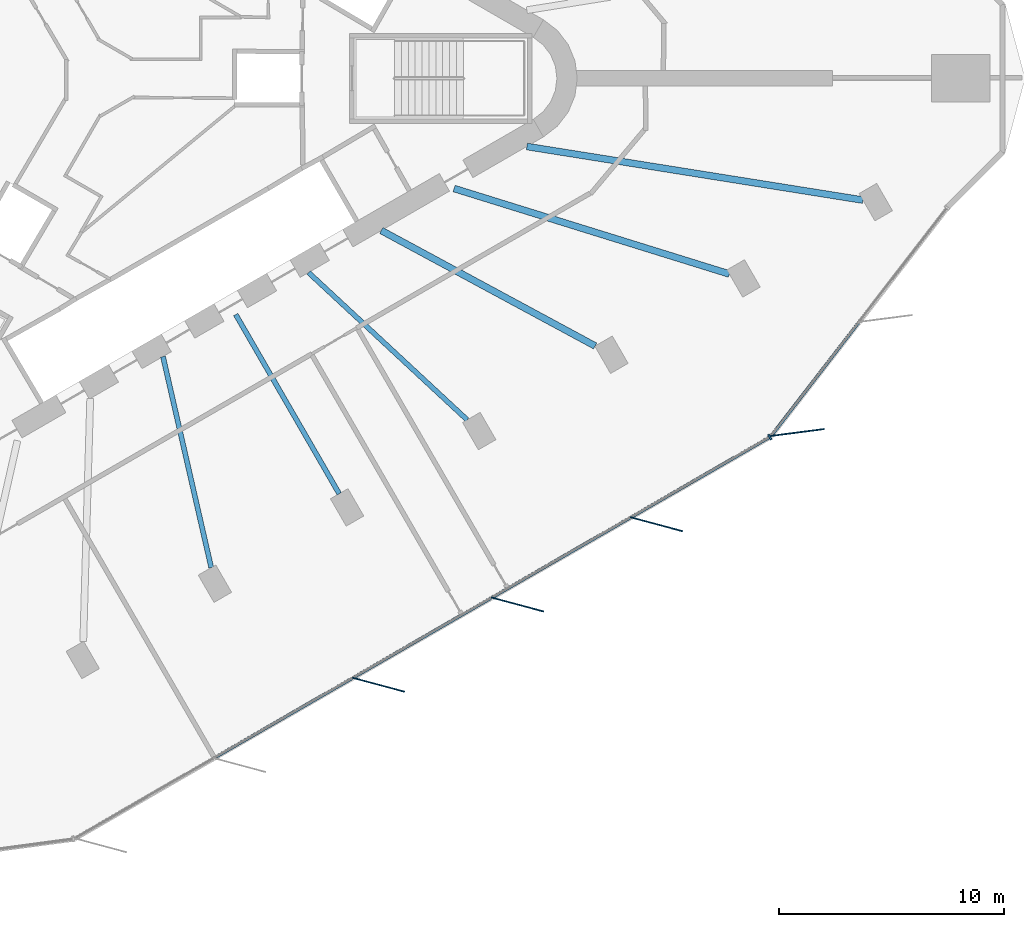
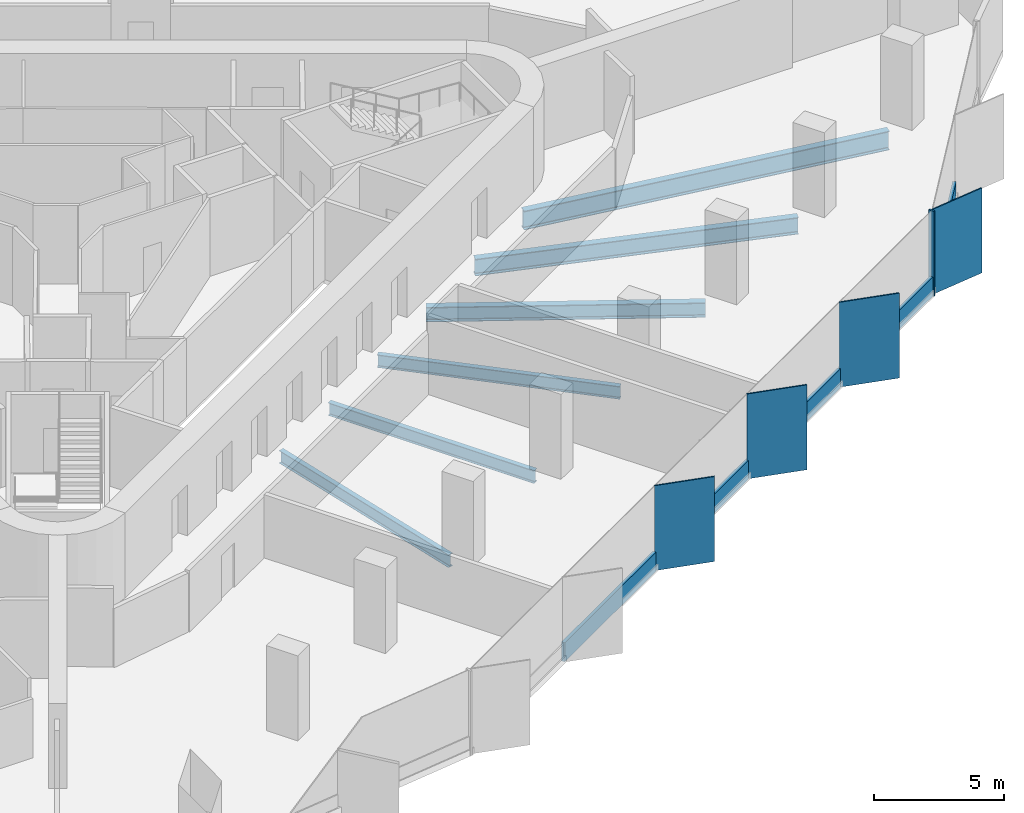
# One storey, part 3 of 14: 10 members, 6 beams, 2 elements without a shape of their own.
"""IFC4 building model written with IfcOpenShell, lengths in metres."""

import ifcopenshell
import ifcopenshell.guid

model = None  # the IFC model being written
_history = None  # IfcOwnerHistory: only IFC2X3 demands one
_inside = {}  # id of a spatial element -> (the spatial element, [elements in it])
_under = {}  # id of a project, library or spatial element -> (it, [spatial elements below it])
_declared = {}  # id of a project -> (the project, [libraries it declares])
_typed = {}  # id of a type object -> (the type object, [elements of that type])
_made_of = {}  # id of a material, layer set ... -> (it, [elements and type objects made of it])


def new_model(schema):
    """Start an empty IFC model of exactly this schema.

    Asked for "IFC4X3", IfcOpenShell would pick the latest addendum, in which some entities
    have other attributes; the version numbers below select the first issue.
    IFC2X3 requires an IfcOwnerHistory on every rooted entity: one is made here for all.
    """
    global model, _history
    if schema == "IFC4X3":
        model = ifcopenshell.file(schema_version=(4, 3, 0, 0))
    else:
        model = ifcopenshell.file(schema=schema)
    _inside.clear()
    _under.clear()
    _declared.clear()
    _typed.clear()
    _made_of.clear()
    _history = None
    if model.schema == "IFC2X3":
        org = make("IfcOrganization", Name="unknown")
        user = make(
            "IfcPersonAndOrganization",
            ThePerson=make("IfcPerson", FamilyName="unknown"),
            TheOrganization=org,
        )
        app = make(
            "IfcApplication",
            ApplicationDeveloper=org,
            Version="unknown",
            ApplicationFullName="unknown",
            ApplicationIdentifier="unknown",
        )
        _history = make(
            "IfcOwnerHistory",
            OwningUser=user,
            OwningApplication=app,
            ChangeAction="ADDED",
            CreationDate=0,
        )
    return model


def make(cls, **values):
    """One entity of the class cls with the attributes given. An attribute that is None is left unset."""
    return model.create_entity(
        cls, **{name: value for name, value in values.items() if value is not None}
    )


def rooted(cls, **values):
    """An entity with a GlobalId (a new one), such as an element, a storey or a relation."""
    return make(cls, GlobalId=ifcopenshell.guid.new(), OwnerHistory=_history, **values)


def si_unit(unit_type, name, prefix=None):
    """IfcSIUnit, for example si_unit("LENGTHUNIT", "METRE", prefix="MILLI")."""
    return make("IfcSIUnit", UnitType=unit_type, Prefix=prefix, Name=name)


def assignment(units):
    """IfcUnitAssignment: the units of a project."""
    return None if units is None else make("IfcUnitAssignment", Units=units)


def point(xyz):
    """IfcCartesianPoint."""
    return None if xyz is None else make("IfcCartesianPoint", Coordinates=xyz)


def direction(xyz):
    """IfcDirection."""
    return None if xyz is None else make("IfcDirection", DirectionRatios=xyz)


def frame(location, z_axis=None, x_axis=None):
    """IfcAxis2Placement3D, a coordinate frame: its origin and axes. An axis left out is left unset."""
    return make(
        "IfcAxis2Placement3D",
        Location=point(location),
        Axis=direction(z_axis),
        RefDirection=direction(x_axis),
    )


def frame_2d(location, x_axis=None):
    """IfcAxis2Placement2D, a coordinate frame in the plane: its origin and x axis."""
    return make(
        "IfcAxis2Placement2D", Location=point(location), RefDirection=direction(x_axis)
    )


def origin():
    """The frame at (0, 0, 0) with its axes left unset."""
    return frame((0.0, 0.0, 0.0))


def origin_2d():
    """The frame at (0, 0) in the plane with its x axis left unset."""
    return frame_2d((0.0, 0.0))


def place(relative_to, where):
    """IfcLocalPlacement: puts the frame where relative to a parent placement (None: the world)."""
    return make(
        "IfcLocalPlacement", PlacementRelTo=relative_to, RelativePlacement=where
    )


def context(
    kind, dimensions, precision=None, world=None, true_north=None, identifier=None
):
    """IfcGeometricRepresentationContext, for example the 3D "Model" context."""
    return make(
        "IfcGeometricRepresentationContext",
        ContextIdentifier=identifier,
        ContextType=kind,
        CoordinateSpaceDimension=dimensions,
        Precision=precision,
        WorldCoordinateSystem=world,
        TrueNorth=true_north,
    )


def subcontext(parent, identifier, kind, view, scale=None):
    """IfcGeometricRepresentationSubContext, for example "Body" below "Model"."""
    return make(
        "IfcGeometricRepresentationSubContext",
        ContextIdentifier=identifier,
        ContextType=kind,
        ParentContext=parent,
        TargetScale=scale,
        TargetView=view,
    )


def project(units=None, contexts=None):
    """IfcProject with its units and contexts."""
    return rooted(
        "IfcProject",
        Name="project",
        RepresentationContexts=contexts,
        UnitsInContext=assignment(units),
    )


def spatial(cls, under=None, at=None, **own):
    """A site, building, storey or space (cls), placed at a placement, below another one or the project."""
    s = rooted(cls, ObjectPlacement=at, **own)
    if under is not None:
        _under.setdefault(under.id(), (under, []))[1].append(s)
    return s


def profile(cls, at=None, kind="AREA", **sizes):
    """A parametric profile (cls). Its sizes go by their IFC names, for example OverallWidth=200.0."""
    return make(cls, ProfileType=kind, Position=at, **sizes)


def rectangle(**sizes):
    """IfcRectangleProfileDef."""
    return profile("IfcRectangleProfileDef", **sizes)


def i_section(**sizes):
    """IfcIShapeProfileDef."""
    return profile("IfcIShapeProfileDef", **sizes)


def extrude(swept, where, along, depth):
    """IfcExtrudedAreaSolid: the profile swept, set in the frame where, extruded along a direction by depth."""
    return make(
        "IfcExtrudedAreaSolid",
        SweptArea=swept,
        Position=where,
        ExtrudedDirection=direction(along),
        Depth=depth,
    )


def shape(context_of_items, identifier, shape_type, items):
    """IfcShapeRepresentation: the items that make up one representation, for example the "Body"."""
    return make(
        "IfcShapeRepresentation",
        ContextOfItems=context_of_items,
        RepresentationIdentifier=identifier,
        RepresentationType=shape_type,
        Items=items,
    )


def material(Name=None, Category=None):
    """IfcMaterial."""
    return make("IfcMaterial", Name=Name, Category=Category)


def material_profile(
    of_material, cross_section, Name=None, Category=None, Priority=None
):
    """IfcMaterialProfile: a cross section and its material."""
    return make(
        "IfcMaterialProfile",
        Name=Name,
        Material=of_material,
        Profile=cross_section,
        Priority=Priority,
        Category=Category,
    )


def profile_set(profiles, Name=None, composite=None):
    """IfcMaterialProfileSet."""
    return make(
        "IfcMaterialProfileSet",
        Name=Name,
        MaterialProfiles=profiles,
        CompositeProfile=composite,
    )


def made_of(thing, what):
    """Note that an element or type object is made of a material, layer set ...; save() writes the relation."""
    if what is not None:
        _made_of.setdefault(what.id(), (what, []))[1].append(thing)
    return thing


def type_object(cls, material=None, **own):
    """A type object (cls), such as IfcWallType, which elements share."""
    return made_of(rooted(cls, **own), material)


def element(
    cls,
    number,
    at=None,
    inside=None,
    cuts=None,
    type_object=None,
    material=None,
    context=None,
    identifier="Body",
    shape_type=None,
    held_by="IfcProductDefinitionShape",
    body=None,
    shapes=None,
    **own,
):
    """One element of the class cls, such as IfcWall. Its Tag is "e" and its number.

    at: its placement. inside: the storey or other place that contains it. cuts: it is an
    opening in that element (IfcRelVoidsElement). A single representation is given by context,
    identifier, shape_type and body (its items); several are given by shapes. held_by: the class
    of the entity that holds the representations. save() writes the other relations.
    """
    e = rooted(cls, Tag="e%d" % number, ObjectPlacement=at, **own)
    if body is not None:
        shapes = [shape(context, identifier, shape_type, body)]
    if shapes is not None:
        e.Representation = make(held_by, Representations=shapes)
    if inside is not None:
        _inside.setdefault(inside.id(), (inside, []))[1].append(e)
    if cuts is not None:
        rooted(
            "IfcRelVoidsElement", RelatingBuildingElement=cuts, RelatedOpeningElement=e
        )
    if type_object is not None:
        _typed.setdefault(type_object.id(), (type_object, []))[1].append(e)
    return made_of(e, material)


def aggregate(whole, parts):
    """IfcRelAggregates: a whole, such as a stair, and the parts it consists of."""
    return rooted("IfcRelAggregates", RelatingObject=whole, RelatedObjects=parts)


def save(model, path):
    """Write the relations noted so far, then the file.

    IfcRelAggregates (storeys below a building ...), IfcRelContainedInSpatialStructure (elements
    in a storey), IfcRelDefinesByType, IfcRelAssociatesMaterial and IfcRelDeclares: one each for
    every whole, place, type object, material and project.
    """
    for whole, parts in _under.values():
        aggregate(whole, parts)
    for where, things in _inside.values():
        rooted(
            "IfcRelContainedInSpatialStructure",
            RelatedElements=things,
            RelatingStructure=where,
        )
    for kind, things in _typed.values():
        rooted("IfcRelDefinesByType", RelatedObjects=things, RelatingType=kind)
    for what, things in _made_of.values():
        rooted("IfcRelAssociatesMaterial", RelatedObjects=things, RelatingMaterial=what)
    for by, libraries in _declared.values():
        rooted("IfcRelDeclares", RelatingContext=by, RelatedDefinitions=libraries)
    model.write(path)


model = new_model("IFC4")

# Units and contexts
model_context = context("Model", 3, precision=1e-05, world=origin(), true_north=direction((0.0, 1.0)))
body_context = subcontext(model_context, "Body", "Model", "MODEL_VIEW")
ifc_project = project(units=[si_unit("LENGTHUNIT", "METRE"), si_unit("AREAUNIT", "SQUARE_METRE"), si_unit("VOLUMEUNIT", "CUBIC_METRE"), si_unit("PLANEANGLEUNIT", "RADIAN"), si_unit("MASSUNIT", "GRAM", prefix="KILO")], contexts=[model_context])

# Site, building, storey
site_placement = place(None, origin())
site = spatial("IfcSite", under=ifc_project, at=site_placement, CompositionType="ELEMENT")
building_placement = place(site_placement, origin())
building = spatial("IfcBuilding", under=site, at=building_placement, Name="Tanit Gate Tower", CompositionType="ELEMENT")
storey_placement = place(building_placement, frame((0.0, 0.0, 233.199951171875)))
storey = spatial("IfcBuildingStorey", under=building, at=storey_placement, Name="L52", CompositionType="ELEMENT", Elevation=233.199951171875)

# Curtain wall, members
ifc_material_1 = material(Name="Aluminium bronze anodised and glass", Category="aluminium")
curtain_wall_type = type_object("IfcCurtainWallType", Name="Curtain wall typical mid", PredefinedType="NOTDEFINED", material=ifc_material_1)
curtain_wall_1_placement = place(storey_placement, origin())
curtain_wall_1 = element("IfcCurtainWall", 1, at=curtain_wall_1_placement, inside=storey, type_object=curtain_wall_type, Name="Curtain wall L52 SE2", PredefinedType="NOTDEFINED")
ifc_material_2 = material(Name="Aluminium bronze anodised", Category="aluminium")
ifc_material_profile_1 = material_profile(ifc_material_2, rectangle(XDim=2.39990234375, YDim=0.055908203125, at=origin_2d()), Name="56x2400 bronze fin mullion")
ifc_profile_set_1 = profile_set([ifc_material_profile_1], Name="Aluminium bronze anodised")
member_type_1 = type_object("IfcMemberType", Name="FIN MULLION 56x2400 bronze", PredefinedType="MULLION", material=ifc_profile_set_1)
member_1_placement = place(storey_placement, frame((12.383056640625, -26.9013671875, -0.300048828125), z_axis=(0.0, 0.0, 1.0), x_axis=(-0.965943770162, 0.25875206837, 0.0)))
member_1 = element("IfcMember", 2, at=member_1_placement, type_object=member_type_1, Name="Fin mullion L52 SE2.3", PredefinedType="MULLION", context=body_context, shape_type="SweptSolid", body=[
    extrude(rectangle(XDim=2.39990234375, YDim=0.055908203125, at=origin_2d()), origin(), (0.0, 0.0, 1.0), 4.0),
])
member_2_placement = place(storey_placement, frame((18.54931640625, -23.3408203125, -0.300048828125), z_axis=(0.0, 0.0, 1.0), x_axis=(-0.965943770162, 0.25875206837, 0.0)))
member_2 = element("IfcMember", 3, at=member_2_placement, type_object=member_type_1, Name="Fin mullion L52 SE2.4", PredefinedType="MULLION", context=body_context, shape_type="SweptSolid", body=[
    extrude(rectangle(XDim=2.39990234375, YDim=0.055908203125, at=origin_2d()), origin(), (0.0, 0.0, 1.0), 4.0),
])
member_3_placement = place(storey_placement, frame((24.715576171875, -19.780029296875, -0.300048828125), z_axis=(0.0, 0.0, 1.0), x_axis=(-0.965943770162, 0.25875206837, 0.0)))
member_3 = element("IfcMember", 4, at=member_3_placement, type_object=member_type_1, Name="Fin mullion L52 SE2.5", PredefinedType="MULLION", context=body_context, shape_type="SweptSolid", body=[
    extrude(rectangle(XDim=2.39990234375, YDim=0.055908203125, at=origin_2d()), origin(), (0.0, 0.0, 1.0), 4.0),
])

# Curtain wall, member
curtain_wall_2_placement = place(storey_placement, origin())
curtain_wall_2 = element("IfcCurtainWall", 5, at=curtain_wall_2_placement, inside=storey, type_object=curtain_wall_type, Name="Curtain wall L52 SE3", PredefinedType="NOTDEFINED")
member_4_placement = place(storey_placement, frame((30.971435546875, -15.712158203125, -0.300048828125), z_axis=(0.0, 0.0, 1.0), x_axis=(-0.991802209768, -0.127782536751, 0.0)))
member_4 = element("IfcMember", 6, at=member_4_placement, type_object=member_type_1, Name="Fin mullion L52 SE3.1", PredefinedType="MULLION", context=body_context, shape_type="SweptSolid", body=[
    extrude(rectangle(XDim=2.39990234375, YDim=0.055908203125, at=origin_2d()), origin(), (0.0, 0.0, 1.0), 4.0),
])

# Member
ifc_material_3 = material(Name="Aluminium bronze anodised", Category="aluminium")
ifc_material_profile_2 = material_profile(ifc_material_3, rectangle(XDim=0.260009765625, YDim=0.080078125, at=origin_2d()), Name="80x260 bronze mullion")
ifc_profile_set_2 = profile_set([ifc_material_profile_2], Name="Aluminium bronze anodised")
member_type_2 = type_object("IfcMemberType", Name="Mullion 80x260 typical mid", PredefinedType="MULLION", material=ifc_profile_set_2)
member_5_placement = place(storey_placement, frame((29.7431640625, -15.91455078125, -0.300048828125), z_axis=(0.0, 0.0, 1.0), x_axis=(-0.500060047936, 0.865990732317, 0.0)))
member_5 = element("IfcMember", 7, at=member_5_placement, type_object=member_type_2, Name="Mullion L52 SE2.6", PredefinedType="MULLION", context=body_context, shape_type="SweptSolid", body=[
    extrude(rectangle(XDim=0.260009765625, YDim=0.080078125, at=origin_2d()), origin(), (0.0, 0.0, 1.0), 4.0),
])

# Beams
ifc_material_4 = material(Name="Steel S355", Category="steel")
ifc_material_profile_3 = material_profile(ifc_material_4, i_section(OverallWidth=0.300048828125, OverallDepth=0.68994140625, WebThickness=0.014404296875, FlangeThickness=0.027099609375, FilletRadius=0.027099609375, at=origin_2d()), Name="HEA 700")
ifc_profile_set_3 = profile_set([ifc_material_profile_3], Name="Steel S355")
beam_type_1 = type_object("IfcBeamType", Name="RADIAL GIRDER HEA 700 S355", PredefinedType="BEAM", material=ifc_profile_set_3)
beam_1_placement = place(storey_placement, frame((21.993896484375, -11.873046875, -0.64501953125), z_axis=(-0.879968075352, 0.475032826614, 0.0), x_axis=(-0.475032826614, -0.879968075352, 0.0)))
element("IfcBeam", 8, at=beam_1_placement, inside=storey, type_object=beam_type_1, Name="RADIAL GIRDER", PredefinedType="BEAM", context=body_context, shape_type="SweptSolid", body=[
    extrude(i_section(OverallWidth=0.300048828125, OverallDepth=0.68994140625, WebThickness=0.014404296875, FlangeThickness=0.027099609375, FilletRadius=0.027099609375, at=origin_2d()), origin(), (0.0, 0.0, 1.0), 10.779541015625),
])
ifc_material_5 = material(Name="Steel S355", Category="steel")
ifc_material_profile_4 = material_profile(ifc_material_5, i_section(OverallWidth=0.300048828125, OverallDepth=0.7900390625, WebThickness=0.014892578125, FlangeThickness=0.028076171875, FilletRadius=0.030029296875, at=origin_2d()), Name="HEA 800")
ifc_profile_set_4 = profile_set([ifc_material_profile_4], Name="Steel S355")
beam_type_2 = type_object("IfcBeamType", Name="RADIAL GIRDER HEA 800 S355", PredefinedType="BEAM", material=ifc_profile_set_4)
beam_2_placement = place(storey_placement, frame((27.947998046875, -8.681396484375, -0.695068359375), z_axis=(-0.954989554266, 0.296639429684, 0.0), x_axis=(-0.296639429684, -0.954989554266, 0.0)))
element("IfcBeam", 9, at=beam_2_placement, inside=storey, type_object=beam_type_2, Name="RADIAL GIRDER", PredefinedType="BEAM", context=body_context, shape_type="SweptSolid", body=[
    extrude(i_section(OverallWidth=0.300048828125, OverallDepth=0.7900390625, WebThickness=0.014892578125, FlangeThickness=0.028076171875, FilletRadius=0.030029296875, at=origin_2d()), origin(), (0.0, 0.0, 1.0), 12.786376953125),
])
ifc_material_6 = material(Name="Steel S355", Category="steel")
ifc_material_profile_5 = material_profile(ifc_material_6, i_section(OverallWidth=0.300048828125, OverallDepth=0.889892578125, WebThickness=0.01611328125, FlangeThickness=0.030029296875, FilletRadius=0.030029296875, at=origin_2d()), Name="HEA 900")
ifc_profile_set_5 = profile_set([ifc_material_profile_5], Name="Steel S355")
beam_type_3 = type_object("IfcBeamType", Name="RADIAL GIRDER HEA 900 S355", PredefinedType="BEAM", material=ifc_profile_set_5)
beam_3_placement = place(storey_placement, frame((33.872802734375, -5.4013671875, -0.744873046875), z_axis=(-0.987524864709, 0.157463143563, 0.0), x_axis=(-0.157463143563, -0.987524864709, 0.0)))
element("IfcBeam", 10, at=beam_3_placement, inside=storey, type_object=beam_type_3, Name="RADIAL GIRDER", PredefinedType="BEAM", context=body_context, shape_type="SweptSolid", body=[
    extrude(i_section(OverallWidth=0.300048828125, OverallDepth=0.889892578125, WebThickness=0.01611328125, FlangeThickness=0.030029296875, FilletRadius=0.030029296875, at=origin_2d()), origin(), (0.0, 0.0, 1.0), 15.09521484375),
])
ifc_material_7 = material(Name="Steel S355", Category="steel")
ifc_material_profile_6 = material_profile(ifc_material_7, i_section(OverallWidth=0.219970703125, OverallDepth=0.60009765625, WebThickness=0.011962890625, FlangeThickness=0.01904296875, FilletRadius=0.02392578125, at=origin_2d()), Name="IPE 600")
ifc_profile_set_6 = profile_set([ifc_material_profile_6], Name="Steel S355")
beam_type_4 = type_object("IfcBeamType", Name="RADIAL GIRDER IPE 600 S355", PredefinedType="BEAM", material=ifc_profile_set_6)
beam_4_placement = place(storey_placement, frame((4.962646484375, -21.7060546875, -0.599853515625), z_axis=(-0.222889001119, 0.974843830149, 0.0), x_axis=(-0.974843830149, -0.222889001119, 0.0)))
element("IfcBeam", 11, at=beam_4_placement, inside=storey, type_object=beam_type_4, Name="RADIAL GIRDER", PredefinedType="BEAM", context=body_context, shape_type="SweptSolid", body=[
    extrude(i_section(OverallWidth=0.219970703125, OverallDepth=0.60009765625, WebThickness=0.011962890625, FlangeThickness=0.01904296875, FilletRadius=0.02392578125, at=origin_2d()), origin(), (0.0, 0.0, 1.0), 9.602783203125),
])
beam_5_placement = place(storey_placement, frame((10.6396484375, -18.428466796875, -0.599853515625), z_axis=(-0.499998789643, 0.866026102583, 0.0), x_axis=(-0.866026102583, -0.499998789643, 0.0)))
element("IfcBeam", 12, at=beam_5_placement, inside=storey, type_object=beam_type_4, Name="RADIAL GIRDER", PredefinedType="BEAM", context=body_context, shape_type="SweptSolid", body=[
    extrude(i_section(OverallWidth=0.219970703125, OverallDepth=0.60009765625, WebThickness=0.011962890625, FlangeThickness=0.01904296875, FilletRadius=0.02392578125, at=origin_2d()), origin(), (0.0, 0.0, 1.0), 9.17724609375),
])
beam_6_placement = place(storey_placement, frame((16.316650390625, -15.150634765625, -0.599853515625), z_axis=(-0.73280888542, 0.680434521059, 0.0), x_axis=(-0.680434521059, -0.73280888542, 0.0)))
element("IfcBeam", 13, at=beam_6_placement, inside=storey, type_object=beam_type_4, Name="RADIAL GIRDER", PredefinedType="BEAM", context=body_context, shape_type="SweptSolid", body=[
    extrude(i_section(OverallWidth=0.219970703125, OverallDepth=0.60009765625, WebThickness=0.011962890625, FlangeThickness=0.01904296875, FilletRadius=0.02392578125, at=origin_2d()), origin(), (0.0, 0.0, 1.0), 9.6025390625),
])

# Member
ifc_material_8 = material(Name="Aluminium bronze anodised", Category="aluminium")
ifc_material_profile_7 = material_profile(ifc_material_8, rectangle(XDim=0.139892578125, YDim=0.89990234375, at=origin_2d()), Name="140x900 bronze transom")
ifc_profile_set_7 = profile_set([ifc_material_profile_7], Name="Aluminium bronze anodised")
member_type_3 = type_object("IfcMemberType", Name="Transom 140x900 typical mid", PredefinedType="USERDEFINED", material=ifc_profile_set_7)
member_6_placement = place(storey_placement, frame((5.11279296875, -30.136962890625, 0.150146484375), z_axis=(0.865997897729, 0.50004763886, 0.0), x_axis=(-0.50004763886, 0.865997897729, 0.0)))
member_6 = element("IfcMember", 14, at=member_6_placement, type_object=member_type_3, Name="Transom L52 SE2.2", ObjectType="TRANSOM", PredefinedType="USERDEFINED", context=body_context, shape_type="SweptSolid", body=[
    extrude(rectangle(XDim=0.139892578125, YDim=0.89990234375, at=origin_2d()), origin(), (0.0, 0.0, 1.0), 7.040283203125),
])

member_7_placement = place(storey_placement, frame((11.279052734375, -26.576416015625, 0.150146484375), z_axis=(0.865982880904, 0.500073644557, 0.0), x_axis=(-0.500073644557, 0.865982880904, 0.0)))
member_7 = element("IfcMember", 15, at=member_7_placement, type_object=member_type_3, Name="Transom L52 SE2.3", ObjectType="TRANSOM", PredefinedType="USERDEFINED", context=body_context, shape_type="SweptSolid", body=[
    extrude(rectangle(XDim=0.139892578125, YDim=0.89990234375, at=origin_2d()), origin(), (0.0, 0.0, 1.0), 7.04052734375),
])

member_8_placement = place(storey_placement, frame((17.4453125, -23.015625, 0.150146484375), z_axis=(0.865997897729, 0.50004763886, 0.0), x_axis=(-0.50004763886, 0.865997897729, 0.0)))
member_8 = element("IfcMember", 16, at=member_8_placement, type_object=member_type_3, Name="Transom L52 SE2.4", ObjectType="TRANSOM", PredefinedType="USERDEFINED", context=body_context, shape_type="SweptSolid", body=[
    extrude(rectangle(XDim=0.139892578125, YDim=0.89990234375, at=origin_2d()), origin(), (0.0, 0.0, 1.0), 7.040283203125),
])

member_9_placement = place(storey_placement, frame((23.611572265625, -19.455078125, 0.150146484375), z_axis=(0.865982880904, 0.500073644557, 0.0), x_axis=(-0.500073644557, 0.865982880904, 0.0)))
member_9 = element("IfcMember", 17, at=member_9_placement, type_object=member_type_3, Name="Transom L52 SE2.5", ObjectType="TRANSOM", PredefinedType="USERDEFINED", context=body_context, shape_type="SweptSolid", body=[
    extrude(rectangle(XDim=0.139892578125, YDim=0.89990234375, at=origin_2d()), origin(), (0.0, 0.0, 1.0), 7.04052734375),
])

aggregate(curtain_wall_1, [member_1, member_2, member_3, member_5, member_6, member_7, member_8, member_9])

member_10_placement = place(storey_placement, frame((29.82666015625, -15.8310546875, 0.150146484375), z_axis=(0.610949668913, 0.79166943989, 0.0), x_axis=(-0.79166943989, 0.610949668913, 0.0)))
member_10 = element("IfcMember", 18, at=member_10_placement, type_object=member_type_3, Name="Transom L52 SE3.1", ObjectType="TRANSOM", PredefinedType="USERDEFINED", context=body_context, shape_type="SweptSolid", body=[
    extrude(rectangle(XDim=0.139892578125, YDim=0.89990234375, at=origin_2d()), origin(), (0.0, 0.0, 1.0), 6.310302734375),
])

aggregate(curtain_wall_2, [member_4, member_10])

save(model, "model.ifc")
